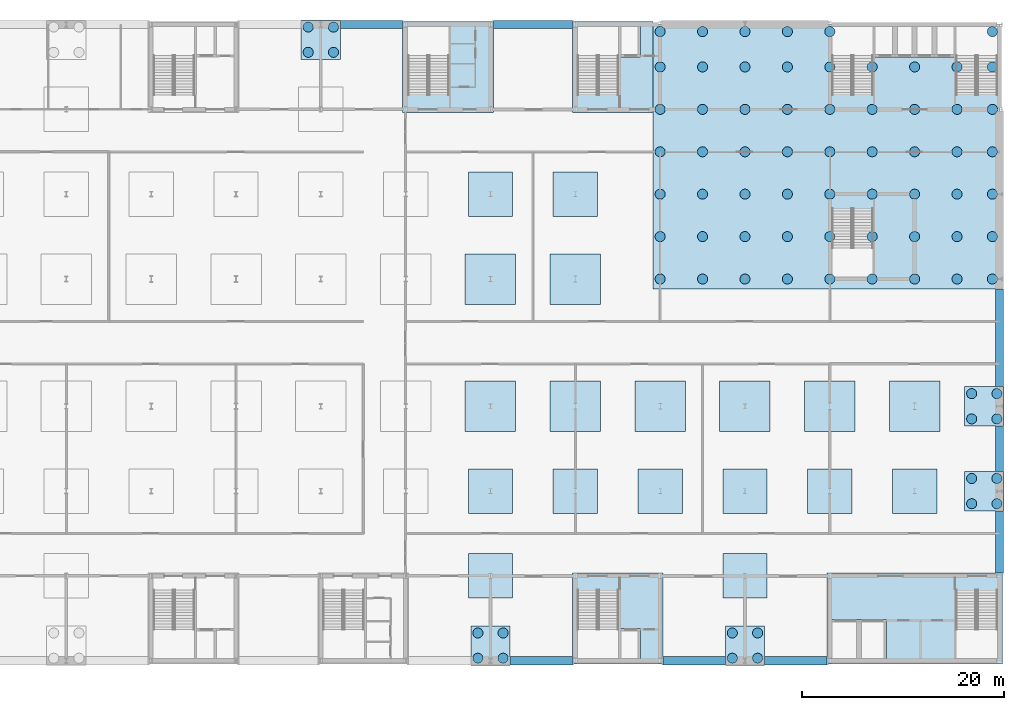
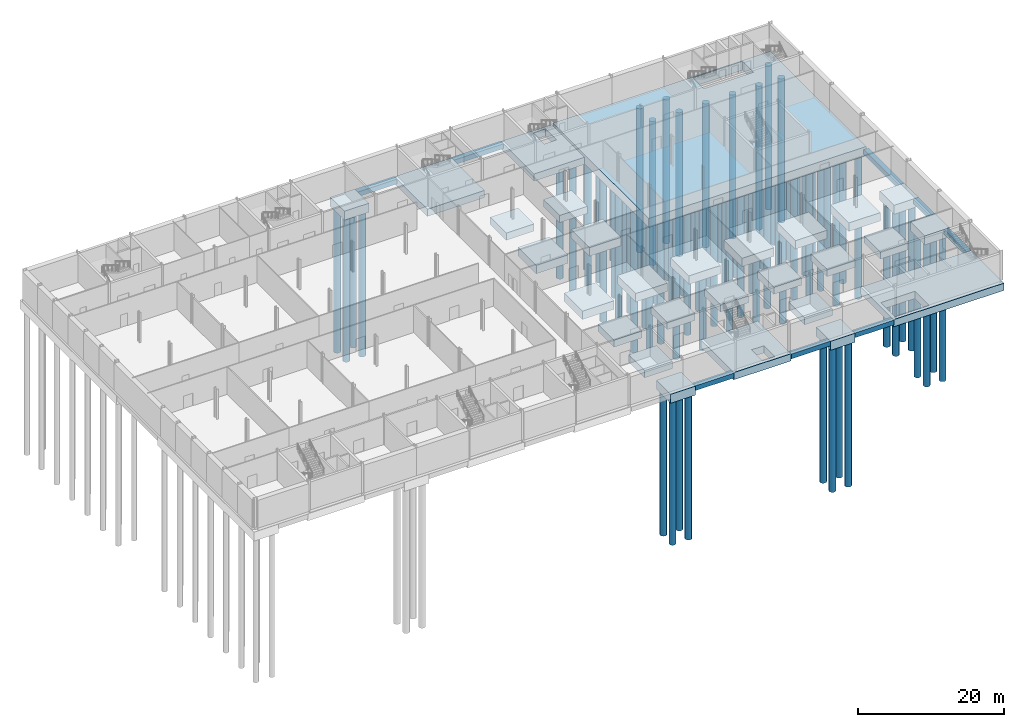
# One storey, part 2 of 22: 80 piles, 36 footings.
"""IFC4 building model written with IfcOpenShell, lengths in metres."""

from ifc_helpers import new_model, si_unit, direction, frame, origin, origin_2d, place, context, subcontext, project, spatial, polyline, circle, outline, extrude, material, layer, layer_set, material_profile, profile_set, type_object, element, save


model = new_model("IFC4")

# Units and contexts
model_context = context("Model", 3, precision=1e-05, world=origin(), true_north=direction((0.0, 1.0)))
body_context = subcontext(model_context, "Body", "Model", "MODEL_VIEW")
ifc_project = project(units=[si_unit("LENGTHUNIT", "METRE"), si_unit("AREAUNIT", "SQUARE_METRE"), si_unit("VOLUMEUNIT", "CUBIC_METRE"), si_unit("PLANEANGLEUNIT", "RADIAN"), si_unit("MASSUNIT", "GRAM", prefix="KILO")], contexts=[model_context])

# Site, building, storey
site_placement = place(None, origin())
site = spatial("IfcSite", under=ifc_project, at=site_placement, CompositionType="ELEMENT")
building_placement = place(site_placement, origin())
building = spatial("IfcBuilding", under=site, at=building_placement, Name="Galleria Vessillo Department Store", CompositionType="ELEMENT")
storey_placement = place(building_placement, frame((0.0, 0.0, -9.89990234375)))
storey = spatial("IfcBuildingStorey", under=building, at=storey_placement, Name="B2", CompositionType="ELEMENT", Elevation=-9.89990234375)

# Piles
ifc_material_1 = material(Name="Concrete C32/40 reinforced", Category="concrete")
ifc_material_profile = material_profile(ifc_material_1, circle(Radius=0.5, at=origin_2d()), Name="Bored pile D1000")
ifc_profile_set = profile_set([ifc_material_profile], Name="Concrete C32/40 reinforced")
pile_type = type_object("IfcPileType", Name="Bored pile D1000", PredefinedType="BORED", material=ifc_profile_set)
for number, where, z_axis, x_axis, name in (
    (1, (84.0, 37.800048828125, -1.5), (0.0, 0.0, -1.0), (1.0, 0.0, 0.0), "S-PILE-R001"),
    (2, (84.0, 42.0, -1.5), (0.0, 0.0, -1.0), (1.0, 0.0, 0.0), "S-PILE-R002"),
    (3, (84.0, 46.199951171875, -1.5), (0.0, 0.0, -1.0), (1.0, 0.0, 0.0), "S-PILE-R003"),
    (4, (84.0, 50.39990234375, -1.5), (0.0, 0.0, -1.0), (1.0, 0.0, 0.0), "S-PILE-R004"),
    (5, (84.0, 54.60009765625, -1.5), (0.0, 0.0, -1.0), (1.0, 0.0, 0.0), "S-PILE-R005"),
    (6, (84.0, 58.800048828125, -1.5), (0.0, 0.0, -1.0), (1.0, 0.0, 0.0), "S-PILE-R006"),
    (7, (84.0, 62.300048828125, -1.5), (0.0, 0.0, -1.0), (1.0, 0.0, 0.0), "S-PILE-R007"),
    (8, (88.199951171875, 37.800048828125, -1.5), (0.0, 0.0, -1.0), (1.0, 0.0, 0.0), "S-PILE-R008"),
    (9, (88.199951171875, 42.0, -1.5), (0.0, 0.0, -1.0), (1.0, 0.0, 0.0), "S-PILE-R009"),
    (10, (88.199951171875, 46.199951171875, -1.5), (0.0, 0.0, -1.0), (1.0, 0.0, 0.0), "S-PILE-R010"),
    (11, (88.199951171875, 50.39990234375, -1.5), (0.0, 0.0, -1.0), (1.0, 0.0, 0.0), "S-PILE-R011"),
    (12, (88.199951171875, 54.60009765625, -1.5), (0.0, 0.0, -1.0), (1.0, 0.0, 0.0), "S-PILE-R012"),
    (13, (88.199951171875, 58.800048828125, -1.5), (0.0, 0.0, -1.0), (1.0, 0.0, 0.0), "S-PILE-R013"),
    (14, (88.199951171875, 62.300048828125, -1.5), (0.0, 0.0, -1.0), (1.0, 0.0, 0.0), "S-PILE-R014"),
    (15, (92.39990234375, 37.800048828125, -1.5), (0.0, 0.0, -1.0), (1.0, 0.0, 0.0), "S-PILE-R015"),
    (16, (92.39990234375, 42.0, -1.5), (0.0, 0.0, -1.0), (1.0, 0.0, 0.0), "S-PILE-R016"),
    (17, (92.39990234375, 46.199951171875, -1.5), (0.0, 0.0, -1.0), (1.0, 0.0, 0.0), "S-PILE-R017"),
    (18, (92.39990234375, 50.39990234375, -1.5), (0.0, 0.0, -1.0), (1.0, 0.0, 0.0), "S-PILE-R018"),
    (19, (92.39990234375, 54.60009765625, -1.5), (0.0, 0.0, -1.0), (1.0, 0.0, 0.0), "S-PILE-R019"),
    (20, (92.39990234375, 58.800048828125, -1.5), (0.0, 0.0, -1.0), (1.0, 0.0, 0.0), "S-PILE-R020"),
    (21, (92.39990234375, 62.300048828125, -1.5), (0.0, 0.0, -1.0), (1.0, 0.0, 0.0), "S-PILE-R021"),
    (22, (96.60009765625, 37.800048828125, -1.5), (0.0, 0.0, -1.0), (1.0, 0.0, 0.0), "S-PILE-R022"),
    (23, (96.60009765625, 42.0, -1.5), (0.0, 0.0, -1.0), (1.0, 0.0, 0.0), "S-PILE-R023"),
    (24, (96.60009765625, 46.199951171875, -1.5), (0.0, 0.0, -1.0), (1.0, 0.0, 0.0), "S-PILE-R024"),
    (25, (96.60009765625, 50.39990234375, -1.5), (0.0, 0.0, -1.0), (1.0, 0.0, 0.0), "S-PILE-R025"),
    (26, (96.60009765625, 54.60009765625, -1.5), (0.0, 0.0, -1.0), (1.0, 0.0, 0.0), "S-PILE-R026"),
    (27, (96.60009765625, 58.800048828125, -1.5), (0.0, 0.0, -1.0), (1.0, 0.0, 0.0), "S-PILE-R027"),
    (28, (96.60009765625, 62.300048828125, -1.5), (0.0, 0.0, -1.0), (1.0, 0.0, 0.0), "S-PILE-R028"),
    (29, (100.800048828125, 37.800048828125, -1.5), (0.0, 0.0, -1.0), (1.0, 0.0, 0.0), "S-PILE-R029"),
    (30, (100.800048828125, 42.0, -1.5), (0.0, 0.0, -1.0), (1.0, 0.0, 0.0), "S-PILE-R030"),
    (31, (100.800048828125, 46.199951171875, -1.5), (0.0, 0.0, -1.0), (1.0, 0.0, 0.0), "S-PILE-R031"),
    (32, (100.800048828125, 50.39990234375, -1.5), (0.0, 0.0, -1.0), (1.0, 0.0, 0.0), "S-PILE-R032"),
    (33, (100.800048828125, 54.60009765625, -1.5), (0.0, 0.0, -1.0), (1.0, 0.0, 0.0), "S-PILE-R033"),
    (34, (100.800048828125, 58.800048828125, -1.5), (0.0, 0.0, -1.0), (1.0, 0.0, 0.0), "S-PILE-R034"),
    (35, (100.800048828125, 62.300048828125, -1.5), (0.0, 0.0, -1.0), (1.0, 0.0, 0.0), "S-PILE-R035"),
    (36, (105.0, 37.800048828125, -1.5), (0.0, 0.0, -1.0), (1.0, 0.0, 0.0), "S-PILE-R036"),
    (37, (105.0, 42.0, -1.5), (0.0, 0.0, -1.0), (1.0, 0.0, 0.0), "S-PILE-R037"),
    (38, (105.0, 46.199951171875, -1.5), (0.0, 0.0, -1.0), (1.0, 0.0, 0.0), "S-PILE-R038"),
    (39, (105.0, 50.39990234375, -1.5), (0.0, 0.0, -1.0), (1.0, 0.0, 0.0), "S-PILE-R039"),
    (40, (105.0, 54.60009765625, -1.5), (0.0, 0.0, -1.0), (1.0, 0.0, 0.0), "S-PILE-R040"),
    (41, (105.0, 58.800048828125, -1.5), (0.0, 0.0, -1.0), (1.0, 0.0, 0.0), "S-PILE-R041"),
    (42, (109.199951171875, 37.800048828125, -1.5), (0.0, 0.0, -1.0), (1.0, 0.0, 0.0), "S-PILE-R042"),
    (43, (109.199951171875, 42.0, -1.5), (0.0, 0.0, -1.0), (1.0, 0.0, 0.0), "S-PILE-R043"),
    (44, (109.199951171875, 46.199951171875, -1.5), (0.0, 0.0, -1.0), (1.0, 0.0, 0.0), "S-PILE-R044"),
    (45, (109.199951171875, 50.39990234375, -1.5), (0.0, 0.0, -1.0), (1.0, 0.0, 0.0), "S-PILE-R045"),
    (46, (109.199951171875, 54.60009765625, -1.5), (0.0, 0.0, -1.0), (1.0, 0.0, 0.0), "S-PILE-R046"),
    (47, (109.199951171875, 58.800048828125, -1.5), (0.0, 0.0, -1.0), (1.0, 0.0, 0.0), "S-PILE-R047"),
    (48, (113.39990234375, 37.800048828125, -1.5), (0.0, 0.0, -1.0), (1.0, 0.0, 0.0), "S-PILE-R048"),
    (49, (113.39990234375, 42.0, -1.5), (0.0, 0.0, -1.0), (1.0, 0.0, 0.0), "S-PILE-R049"),
    (50, (113.39990234375, 46.199951171875, -1.5), (0.0, 0.0, -1.0), (1.0, 0.0, 0.0), "S-PILE-R050"),
    (51, (113.39990234375, 50.39990234375, -1.5), (0.0, 0.0, -1.0), (1.0, 0.0, 0.0), "S-PILE-R051"),
    (52, (113.39990234375, 54.60009765625, -1.5), (0.0, 0.0, -1.0), (1.0, 0.0, 0.0), "S-PILE-R052"),
    (53, (113.39990234375, 58.800048828125, -1.5), (0.0, 0.0, -1.0), (1.0, 0.0, 0.0), "S-PILE-R053"),
    (54, (116.89990234375, 37.800048828125, -1.5), (0.0, 0.0, -1.0), (1.0, 0.0, 0.0), "S-PILE-R054"),
    (55, (116.89990234375, 42.0, -1.5), (0.0, 0.0, -1.0), (1.0, 0.0, 0.0), "S-PILE-R055"),
    (56, (116.89990234375, 46.199951171875, -1.5), (0.0, 0.0, -1.0), (1.0, 0.0, 0.0), "S-PILE-R056"),
    (57, (116.89990234375, 50.39990234375, -1.5), (0.0, 0.0, -1.0), (1.0, 0.0, 0.0), "S-PILE-R057"),
    (58, (116.89990234375, 54.60009765625, -1.5), (0.0, 0.0, -1.0), (1.0, 0.0, 0.0), "S-PILE-R058"),
    (59, (116.89990234375, 58.800048828125, -1.5), (0.0, 0.0, -1.0), (1.0, 0.0, 0.0), "S-PILE-R059"),
    (60, (116.89990234375, 62.300048828125, -1.5), (0.0, 0.0, -1.0), (1.0, 0.0, 0.0), "S-PILE-R060"),
    (61, (49.14990234375, 60.25, -1.900146484375), (0.0, 0.0, -1.0), (1.0, 0.0, 0.0), "S-PILE-7H-01"),
    (62, (51.64990234375, 60.25, -1.900146484375), (0.0, 0.0, -1.0), (1.0, 0.0, 0.0), "S-PILE-7H-02"),
    (63, (49.14990234375, 62.75, -1.900146484375), (0.0, 0.0, -1.0), (1.0, 0.0, 0.0), "S-PILE-7H-03"),
    (64, (51.64990234375, 62.75, -1.900146484375), (0.0, 0.0, -1.0), (1.0, 0.0, 0.0), "S-PILE-7H-04"),
    (65, (65.949951171875, 0.25, -1.900146484375), (0.0, 0.0, -1.0), (1.0, 0.0, 0.0), "S-PILE-9A-01"),
    (66, (68.449951171875, 0.25, -1.900146484375), (0.0, 0.0, -1.0), (1.0, 0.0, 0.0), "S-PILE-9A-02"),
    (67, (65.949951171875, 2.75, -1.900146484375), (0.0, 0.0, -1.0), (1.0, 0.0, 0.0), "S-PILE-9A-03"),
    (68, (68.449951171875, 2.75, -1.900146484375), (0.0, 0.0, -1.0), (1.0, 0.0, 0.0), "S-PILE-9A-04"),
    (69, (91.14990234375, 0.25, -1.900146484375), (0.0, 0.0, -1.0), (1.0, 0.0, 0.0), "S-PILE-12A-01"),
    (70, (93.64990234375, 0.25, -1.900146484375), (0.0, 0.0, -1.0), (1.0, 0.0, 0.0), "S-PILE-12A-02"),
    (71, (91.14990234375, 2.75, -1.900146484375), (0.0, 0.0, -1.0), (1.0, 0.0, 0.0), "S-PILE-12A-03"),
    (72, (93.64990234375, 2.75, -1.900146484375), (0.0, 0.0, -1.0), (1.0, 0.0, 0.0), "S-PILE-12A-04"),
    (73, (114.85009765625, 15.550048828125, -1.900146484375), (0.0, 0.0, -1.0), (1.0, 0.0, 0.0), "S-PILE-15C-01"),
    (74, (117.35009765625, 15.550048828125, -1.900146484375), (0.0, 0.0, -1.0), (1.0, 0.0, 0.0), "S-PILE-15C-02"),
    (75, (114.85009765625, 18.050048828125, -1.900146484375), (0.0, 0.0, -1.0), (1.0, 0.0, 0.0), "S-PILE-15C-03"),
    (76, (117.35009765625, 18.050048828125, -1.900146484375), (0.0, 0.0, -1.0), (1.0, 0.0, 0.0), "S-PILE-15C-04"),
    (77, (114.85009765625, 23.949951171875, -1.900146484375), (0.0, 0.0, -1.0), (1.0, 0.0, 0.0), "S-PILE-15D-01"),
    (78, (117.35009765625, 23.949951171875, -1.900146484375), (0.0, 0.0, -1.0), (1.0, 0.0, 0.0), "S-PILE-15D-02"),
    (79, (114.85009765625, 26.449951171875, -1.900146484375), (0.0, 0.0, -1.0), (1.0, 0.0, 0.0), "S-PILE-15D-03"),
    (80, (117.35009765625, 26.449951171875, -1.900146484375), (0.0, 0.0, -1.0), (1.0, 0.0, 0.0), "S-PILE-15D-04"),
):
    element("IfcPile", number, at=place(storey_placement, frame(where, z_axis=z_axis, x_axis=x_axis)), inside=storey, type_object=pile_type, Name=name, PredefinedType="BORED", context=body_context, shape_type="SweptSolid", body=[
        extrude(circle(Radius=0.5, at=origin_2d()), origin(), (0.0, 0.0, 1.0), 24.0),
    ])

# Footings
ifc_material_2 = material(Name="Concrete C32/40 reinforced", Category="concrete")
ifc_layer_1 = layer(ifc_material_2, 0.800048828125)
ifc_layer_set_1 = layer_set([ifc_layer_1], Name="Concrete C32/40 reinforced")
footing_type_1 = type_object("IfcFootingType", Name="Ground beam 800 x 800 mm", PredefinedType="FOOTING_BEAM", material=ifc_layer_set_1)
footing_1_placement = place(storey_placement, frame((0.0, 0.0, -1.2001953125)))
element("IfcFooting", 81, at=footing_1_placement, inside=storey, type_object=footing_type_1, Name="S-GB-S-06", PredefinedType="FOOTING_BEAM", context=body_context, shape_type="SweptSolid", body=[
    extrude(outline(polyline([(69.14990234375, -0.39990234375), (75.300048828125, -0.39990234375), (75.300048828125, 0.39990234375), (69.14990234375, 0.39990234375), (69.14990234375, -0.39990234375)])), origin(), (0.0, 0.0, 1.0), 0.800048828125),
])
footing_2_placement = place(storey_placement, frame((0.0, 0.0, -1.2001953125)))
element("IfcFooting", 82, at=footing_2_placement, inside=storey, type_object=footing_type_1, Name="S-GB-S-07", PredefinedType="FOOTING_BEAM", context=body_context, shape_type="SweptSolid", body=[
    extrude(outline(polyline([(84.300048828125, -0.39990234375), (90.449951171875, -0.39990234375), (90.449951171875, 0.39990234375), (84.300048828125, 0.39990234375), (84.300048828125, -0.39990234375)])), origin(), (0.0, 0.0, 1.0), 0.800048828125),
])
footing_3_placement = place(storey_placement, frame((0.0, 0.0, -1.2001953125)))
element("IfcFooting", 83, at=footing_3_placement, inside=storey, type_object=footing_type_1, Name="S-GB-S-08", PredefinedType="FOOTING_BEAM", context=body_context, shape_type="SweptSolid", body=[
    extrude(outline(polyline([(94.349853515625, -0.39990234375), (100.5, -0.39990234375), (100.5, 0.39990234375), (94.349853515625, 0.39990234375), (94.349853515625, -0.39990234375)])), origin(), (0.0, 0.0, 1.0), 0.800048828125),
])
footing_4_placement = place(storey_placement, frame((0.0, 0.0, -1.2001953125)))
element("IfcFooting", 84, at=footing_4_placement, inside=storey, type_object=footing_type_1, Name="S-GB-N-05", PredefinedType="FOOTING_BEAM", context=body_context, shape_type="SweptSolid", body=[
    extrude(outline(polyline([(52.349853515625, 62.60009765625), (58.5, 62.60009765625), (58.5, 63.39990234375), (52.349853515625, 63.39990234375), (52.349853515625, 62.60009765625)])), origin(), (0.0, 0.0, 1.0), 0.800048828125),
])
footing_5_placement = place(storey_placement, frame((0.0, 0.0, -1.2001953125)))
element("IfcFooting", 85, at=footing_5_placement, inside=storey, type_object=footing_type_1, Name="S-GB-N-06", PredefinedType="FOOTING_BEAM", context=body_context, shape_type="SweptSolid", body=[
    extrude(outline(polyline([(67.5, 62.60009765625), (75.300048828125, 62.60009765625), (75.300048828125, 63.39990234375), (67.5, 63.39990234375), (67.5, 62.60009765625)])), origin(), (0.0, 0.0, 1.0), 0.800048828125),
])
footing_6_placement = place(storey_placement, frame((0.0, 0.0, -1.2001953125)))
element("IfcFooting", 86, at=footing_6_placement, inside=storey, type_object=footing_type_1, Name="S-GB-E-01", PredefinedType="FOOTING_BEAM", context=body_context, shape_type="SweptSolid", body=[
    extrude(outline(polyline([(117.199951171875, 8.699951171875), (118.0, 8.699951171875), (118.0, 14.85009765625), (117.199951171875, 14.85009765625), (117.199951171875, 8.699951171875)])), origin(), (0.0, 0.0, 1.0), 0.800048828125),
])
footing_7_placement = place(storey_placement, frame((0.0, 0.0, -1.2001953125)))
element("IfcFooting", 87, at=footing_7_placement, inside=storey, type_object=footing_type_1, Name="S-GB-E-02", PredefinedType="FOOTING_BEAM", context=body_context, shape_type="SweptSolid", body=[
    extrude(outline(polyline([(117.199951171875, 18.75), (118.0, 18.75), (118.0, 23.25), (117.199951171875, 23.25), (117.199951171875, 18.75)])), origin(), (0.0, 0.0, 1.0), 0.800048828125),
])
footing_8_placement = place(storey_placement, frame((0.0, 0.0, -1.2001953125)))
element("IfcFooting", 88, at=footing_8_placement, inside=storey, type_object=footing_type_1, Name="S-GB-E-03", PredefinedType="FOOTING_BEAM", context=body_context, shape_type="SweptSolid", body=[
    extrude(outline(polyline([(117.199951171875, 27.14990234375), (118.0, 27.14990234375), (118.0, 36.800048828125), (117.199951171875, 36.800048828125), (117.199951171875, 27.14990234375)])), origin(), (0.0, 0.0, 1.0), 0.800048828125),
])
ifc_material_3 = material(Name="Concrete C32/40 reinforced", Category="concrete")
ifc_layer_2 = layer(ifc_material_3, 1.199951171875)
ifc_layer_set_2 = layer_set([ifc_layer_2], Name="Concrete C32/40 reinforced")
footing_type_2 = type_object("IfcFootingType", Name="Pad footing 17.40 x 9 m, 1.2 m thick", PredefinedType="PAD_FOOTING", material=ifc_layer_set_2)
footing_9_placement = place(storey_placement, frame((0.0, 0.0, -1.60009765625)))
element("IfcFooting", 89, at=footing_9_placement, inside=storey, type_object=footing_type_2, Name="S-PAD-GC", PredefinedType="PAD_FOOTING", context=body_context, shape_type="SweptSolid", body=[
    extrude(outline(polyline([(100.5, -0.300048828125), (117.900146484375, -0.300048828125), (117.900146484375, 8.699951171875), (100.5, 8.699951171875), (100.5, -0.300048828125)]), holes=[polyline([(101.0, 0.199951171875), (106.39990234375, 0.199951171875), (106.39990234375, 4.10009765625), (101.0, 4.10009765625), (101.0, 0.199951171875)])]), origin(), (0.0, 0.0, 1.0), 1.199951171875),
])
ifc_material_4 = material(Name="Concrete C32/40 reinforced", Category="concrete")
ifc_layer_3 = layer(ifc_material_4, 1.199951171875)
ifc_layer_set_3 = layer_set([ifc_layer_3], Name="Concrete C32/40 reinforced")
footing_type_3 = type_object("IfcFootingType", Name="Pad footing 4.40 x 4.40 m, 1.2 m thick", PredefinedType="PAD_FOOTING", material=ifc_layer_set_3)
footing_10_placement = place(storey_placement, frame((0.0, 0.0, -1.60009765625)))
element("IfcFooting", 90, at=footing_10_placement, inside=storey, type_object=footing_type_3, Name="S-PAD-9B", PredefinedType="PAD_FOOTING", context=body_context, shape_type="SweptSolid", body=[
    extrude(outline(polyline([(65.0, 6.199951171875), (69.39990234375, 6.199951171875), (69.39990234375, 10.599853515625), (65.0, 10.599853515625), (65.0, 6.199951171875)])), origin(), (0.0, 0.0, 1.0), 1.199951171875),
])
footing_11_placement = place(storey_placement, frame((0.0, 0.0, -1.60009765625)))
element("IfcFooting", 91, at=footing_11_placement, inside=storey, type_object=footing_type_3, Name="S-PAD-9C", PredefinedType="PAD_FOOTING", context=body_context, shape_type="SweptSolid", body=[
    extrude(outline(polyline([(65.0, 14.60009765625), (69.39990234375, 14.60009765625), (69.39990234375, 19.0), (65.0, 19.0), (65.0, 14.60009765625)])), origin(), (0.0, 0.0, 1.0), 1.199951171875),
])
footing_12_placement = place(storey_placement, frame((0.0, 0.0, -1.60009765625)))
element("IfcFooting", 92, at=footing_12_placement, inside=storey, type_object=footing_type_3, Name="S-PAD-9F", PredefinedType="PAD_FOOTING", context=body_context, shape_type="SweptSolid", body=[
    extrude(outline(polyline([(65.0, 44.0), (69.39990234375, 44.0), (69.39990234375, 48.39990234375), (65.0, 48.39990234375), (65.0, 44.0)])), origin(), (0.0, 0.0, 1.0), 1.199951171875),
])
footing_13_placement = place(storey_placement, frame((0.0, 0.0, -1.60009765625)))
element("IfcFooting", 93, at=footing_13_placement, inside=storey, type_object=footing_type_3, Name="S-PAD-10C", PredefinedType="PAD_FOOTING", context=body_context, shape_type="SweptSolid", body=[
    extrude(outline(polyline([(73.400146484375, 14.60009765625), (77.800048828125, 14.60009765625), (77.800048828125, 19.0), (73.400146484375, 19.0), (73.400146484375, 14.60009765625)])), origin(), (0.0, 0.0, 1.0), 1.199951171875),
])
footing_14_placement = place(storey_placement, frame((0.0, 0.0, -1.60009765625)))
element("IfcFooting", 94, at=footing_14_placement, inside=storey, type_object=footing_type_3, Name="S-PAD-10F", PredefinedType="PAD_FOOTING", context=body_context, shape_type="SweptSolid", body=[
    extrude(outline(polyline([(73.400146484375, 44.0), (77.800048828125, 44.0), (77.800048828125, 48.39990234375), (73.400146484375, 48.39990234375), (73.400146484375, 44.0)])), origin(), (0.0, 0.0, 1.0), 1.199951171875),
])
footing_15_placement = place(storey_placement, frame((0.0, 0.0, -1.60009765625)))
element("IfcFooting", 95, at=footing_15_placement, inside=storey, type_object=footing_type_3, Name="S-PAD-11C", PredefinedType="PAD_FOOTING", context=body_context, shape_type="SweptSolid", body=[
    extrude(outline(polyline([(81.800048828125, 14.60009765625), (86.199951171875, 14.60009765625), (86.199951171875, 19.0), (81.800048828125, 19.0), (81.800048828125, 14.60009765625)])), origin(), (0.0, 0.0, 1.0), 1.199951171875),
])
footing_16_placement = place(storey_placement, frame((0.0, 0.0, -1.60009765625)))
element("IfcFooting", 96, at=footing_16_placement, inside=storey, type_object=footing_type_3, Name="S-PAD-12B", PredefinedType="PAD_FOOTING", context=body_context, shape_type="SweptSolid", body=[
    extrude(outline(polyline([(90.199951171875, 6.199951171875), (94.599853515625, 6.199951171875), (94.599853515625, 10.599853515625), (90.199951171875, 10.599853515625), (90.199951171875, 6.199951171875)])), origin(), (0.0, 0.0, 1.0), 1.199951171875),
])
footing_17_placement = place(storey_placement, frame((0.0, 0.0, -1.60009765625)))
element("IfcFooting", 97, at=footing_17_placement, inside=storey, type_object=footing_type_3, Name="S-PAD-12C", PredefinedType="PAD_FOOTING", context=body_context, shape_type="SweptSolid", body=[
    extrude(outline(polyline([(90.199951171875, 14.60009765625), (94.599853515625, 14.60009765625), (94.599853515625, 19.0), (90.199951171875, 19.0), (90.199951171875, 14.60009765625)])), origin(), (0.0, 0.0, 1.0), 1.199951171875),
])
footing_18_placement = place(storey_placement, frame((0.0, 0.0, -1.60009765625)))
element("IfcFooting", 98, at=footing_18_placement, inside=storey, type_object=footing_type_3, Name="S-PAD-13C", PredefinedType="PAD_FOOTING", context=body_context, shape_type="SweptSolid", body=[
    extrude(outline(polyline([(98.60009765625, 14.60009765625), (103.0, 14.60009765625), (103.0, 19.0), (98.60009765625, 19.0), (98.60009765625, 14.60009765625)])), origin(), (0.0, 0.0, 1.0), 1.199951171875),
])
footing_19_placement = place(storey_placement, frame((0.0, 0.0, -1.60009765625)))
element("IfcFooting", 99, at=footing_19_placement, inside=storey, type_object=footing_type_3, Name="S-PAD-14C", PredefinedType="PAD_FOOTING", context=body_context, shape_type="SweptSolid", body=[
    extrude(outline(polyline([(107.0, 14.60009765625), (111.39990234375, 14.60009765625), (111.39990234375, 19.0), (107.0, 19.0), (107.0, 14.60009765625)])), origin(), (0.0, 0.0, 1.0), 1.199951171875),
])
ifc_material_5 = material(Name="Concrete C32/40 reinforced", Category="concrete")
ifc_layer_4 = layer(ifc_material_5, 1.39990234375)
ifc_layer_set_4 = layer_set([ifc_layer_4], Name="Concrete C32/40 reinforced")
footing_type_4 = type_object("IfcFootingType", Name="Pad footing 5 x 5 m, 1.4 m thick", PredefinedType="PAD_FOOTING", material=ifc_layer_set_4)
footing_20_placement = place(storey_placement, frame((0.0, 0.0, -1.800048828125)))
element("IfcFooting", 100, at=footing_20_placement, inside=storey, type_object=footing_type_4, Name="S-PAD-9D", PredefinedType="PAD_FOOTING", context=body_context, shape_type="SweptSolid", body=[
    extrude(outline(polyline([(64.699951171875, 22.699951171875), (69.699951171875, 22.699951171875), (69.699951171875, 27.699951171875), (64.699951171875, 27.699951171875), (64.699951171875, 22.699951171875)])), origin(), (0.0, 0.0, 1.0), 1.39990234375),
])
footing_21_placement = place(storey_placement, frame((0.0, 0.0, -1.800048828125)))
element("IfcFooting", 101, at=footing_21_placement, inside=storey, type_object=footing_type_4, Name="S-PAD-9E", PredefinedType="PAD_FOOTING", context=body_context, shape_type="SweptSolid", body=[
    extrude(outline(polyline([(64.699951171875, 35.300048828125), (69.699951171875, 35.300048828125), (69.699951171875, 40.300048828125), (64.699951171875, 40.300048828125), (64.699951171875, 35.300048828125)])), origin(), (0.0, 0.0, 1.0), 1.39990234375),
])
footing_22_placement = place(storey_placement, frame((0.0, 0.0, -1.800048828125)))
element("IfcFooting", 102, at=footing_22_placement, inside=storey, type_object=footing_type_4, Name="S-PAD-10D", PredefinedType="PAD_FOOTING", context=body_context, shape_type="SweptSolid", body=[
    extrude(outline(polyline([(73.10009765625, 22.699951171875), (78.10009765625, 22.699951171875), (78.10009765625, 27.699951171875), (73.10009765625, 27.699951171875), (73.10009765625, 22.699951171875)])), origin(), (0.0, 0.0, 1.0), 1.39990234375),
])
footing_23_placement = place(storey_placement, frame((0.0, 0.0, -1.800048828125)))
element("IfcFooting", 103, at=footing_23_placement, inside=storey, type_object=footing_type_4, Name="S-PAD-10E", PredefinedType="PAD_FOOTING", context=body_context, shape_type="SweptSolid", body=[
    extrude(outline(polyline([(73.10009765625, 35.300048828125), (78.10009765625, 35.300048828125), (78.10009765625, 40.300048828125), (73.10009765625, 40.300048828125), (73.10009765625, 35.300048828125)])), origin(), (0.0, 0.0, 1.0), 1.39990234375),
])
footing_24_placement = place(storey_placement, frame((0.0, 0.0, -1.800048828125)))
element("IfcFooting", 104, at=footing_24_placement, inside=storey, type_object=footing_type_4, Name="S-PAD-11D", PredefinedType="PAD_FOOTING", context=body_context, shape_type="SweptSolid", body=[
    extrude(outline(polyline([(81.5, 22.699951171875), (86.5, 22.699951171875), (86.5, 27.699951171875), (81.5, 27.699951171875), (81.5, 22.699951171875)])), origin(), (0.0, 0.0, 1.0), 1.39990234375),
])
footing_25_placement = place(storey_placement, frame((0.0, 0.0, -1.800048828125)))
element("IfcFooting", 105, at=footing_25_placement, inside=storey, type_object=footing_type_4, Name="S-PAD-12D", PredefinedType="PAD_FOOTING", context=body_context, shape_type="SweptSolid", body=[
    extrude(outline(polyline([(89.89990234375, 22.699951171875), (94.89990234375, 22.699951171875), (94.89990234375, 27.699951171875), (89.89990234375, 27.699951171875), (89.89990234375, 22.699951171875)])), origin(), (0.0, 0.0, 1.0), 1.39990234375),
])
footing_26_placement = place(storey_placement, frame((0.0, 0.0, -1.800048828125)))
element("IfcFooting", 106, at=footing_26_placement, inside=storey, type_object=footing_type_4, Name="S-PAD-13D", PredefinedType="PAD_FOOTING", context=body_context, shape_type="SweptSolid", body=[
    extrude(outline(polyline([(98.300048828125, 22.699951171875), (103.300048828125, 22.699951171875), (103.300048828125, 27.699951171875), (98.300048828125, 27.699951171875), (98.300048828125, 22.699951171875)])), origin(), (0.0, 0.0, 1.0), 1.39990234375),
])
footing_27_placement = place(storey_placement, frame((0.0, 0.0, -1.800048828125)))
element("IfcFooting", 107, at=footing_27_placement, inside=storey, type_object=footing_type_4, Name="S-PAD-14D", PredefinedType="PAD_FOOTING", context=body_context, shape_type="SweptSolid", body=[
    extrude(outline(polyline([(106.699951171875, 22.699951171875), (111.699951171875, 22.699951171875), (111.699951171875, 27.699951171875), (106.699951171875, 27.699951171875), (106.699951171875, 22.699951171875)])), origin(), (0.0, 0.0, 1.0), 1.39990234375),
])
ifc_material_6 = material(Name="Concrete C32/40 reinforced", Category="concrete")
ifc_layer_5 = layer(ifc_material_6, 1.199951171875)
ifc_layer_set_5 = layer_set([ifc_layer_5], Name="Concrete C32/40 reinforced")
footing_type_5 = type_object("IfcFootingType", Name="Pad footing 8 x 9 m, 1.2 m thick", PredefinedType="PAD_FOOTING", material=ifc_layer_set_5)
footing_28_placement = place(storey_placement, frame((0.0, 0.0, -1.60009765625)))
element("IfcFooting", 108, at=footing_28_placement, inside=storey, type_object=footing_type_5, Name="S-PAD-PC-NE", PredefinedType="PAD_FOOTING", context=body_context, shape_type="SweptSolid", body=[
    extrude(outline(polyline([(75.300048828125, 54.300048828125), (83.300048828125, 54.300048828125), (83.300048828125, 63.300048828125), (75.300048828125, 63.300048828125), (75.300048828125, 54.300048828125)]), holes=[polyline([(80.10009765625, 59.800048828125), (82.050048828125, 59.800048828125), (82.050048828125, 62.800048828125), (80.10009765625, 62.800048828125), (80.10009765625, 59.800048828125)])]), origin(), (0.0, 0.0, 1.0), 1.199951171875),
])
ifc_material_7 = material(Name="Concrete C32/40 reinforced", Category="concrete")
ifc_layer_6 = layer(ifc_material_7, 1.199951171875)
ifc_layer_set_6 = layer_set([ifc_layer_6], Name="Concrete C32/40 reinforced")
footing_type_6 = type_object("IfcFootingType", Name="Pad footing 9 x 9 m, 1.2 m thick", PredefinedType="PAD_FOOTING", material=ifc_layer_set_6)
footing_29_placement = place(storey_placement, frame((0.0, 0.0, -1.60009765625)))
element("IfcFooting", 109, at=footing_29_placement, inside=storey, type_object=footing_type_6, Name="S-PAD-PC-SE", PredefinedType="PAD_FOOTING", context=body_context, shape_type="SweptSolid", body=[
    extrude(outline(polyline([(75.300048828125, -0.300048828125), (84.300048828125, -0.300048828125), (84.300048828125, 8.699951171875), (75.300048828125, 8.699951171875), (75.300048828125, -0.300048828125)]), holes=[polyline([(80.10009765625, 0.199951171875), (82.050048828125, 0.199951171875), (82.050048828125, 3.199951171875), (80.10009765625, 3.199951171875), (80.10009765625, 0.199951171875)])]), origin(), (0.0, 0.0, 1.0), 1.199951171875),
])
footing_30_placement = place(storey_placement, frame((0.0, 0.0, -1.60009765625)))
element("IfcFooting", 110, at=footing_30_placement, inside=storey, type_object=footing_type_6, Name="S-PAD-PC-NC", PredefinedType="PAD_FOOTING", context=body_context, shape_type="SweptSolid", body=[
    extrude(outline(polyline([(58.5, 54.300048828125), (67.5, 54.300048828125), (67.5, 63.300048828125), (58.5, 63.300048828125), (58.5, 54.300048828125)])), origin(), (0.0, 0.0, 1.0), 1.199951171875),
])
ifc_material_8 = material(Name="Concrete C32/40 reinforced", Category="concrete")
ifc_layer_7 = layer(ifc_material_8, 1.5)
ifc_layer_set_7 = layer_set([ifc_layer_7], Name="Concrete C32/40 reinforced")
footing_type_7 = type_object("IfcFootingType", Name="Pile cap 3.90 x 3.90 m, four piles, 1.5 m thick", PredefinedType="PILE_CAP", material=ifc_layer_set_7)
footing_31_placement = place(storey_placement, frame((0.0, 0.0, -1.900146484375)))
element("IfcFooting", 111, at=footing_31_placement, inside=storey, type_object=footing_type_7, Name="S-CAP-7H", PredefinedType="PILE_CAP", context=body_context, shape_type="SweptSolid", body=[
    extrude(outline(polyline([(48.449951171875, 59.550048828125), (52.349853515625, 59.550048828125), (52.349853515625, 63.449951171875), (48.449951171875, 63.449951171875), (48.449951171875, 59.550048828125)])), origin(), (0.0, 0.0, 1.0), 1.5),
])
footing_32_placement = place(storey_placement, frame((0.0, 0.0, -1.900146484375)))
element("IfcFooting", 112, at=footing_32_placement, inside=storey, type_object=footing_type_7, Name="S-CAP-9A", PredefinedType="PILE_CAP", context=body_context, shape_type="SweptSolid", body=[
    extrude(outline(polyline([(65.25, -0.449951171875), (69.14990234375, -0.449951171875), (69.14990234375, 3.449951171875), (65.25, 3.449951171875), (65.25, -0.449951171875)])), origin(), (0.0, 0.0, 1.0), 1.5),
])
footing_33_placement = place(storey_placement, frame((0.0, 0.0, -1.900146484375)))
element("IfcFooting", 113, at=footing_33_placement, inside=storey, type_object=footing_type_7, Name="S-CAP-12A", PredefinedType="PILE_CAP", context=body_context, shape_type="SweptSolid", body=[
    extrude(outline(polyline([(90.449951171875, -0.449951171875), (94.349853515625, -0.449951171875), (94.349853515625, 3.449951171875), (90.449951171875, 3.449951171875), (90.449951171875, -0.449951171875)])), origin(), (0.0, 0.0, 1.0), 1.5),
])
footing_34_placement = place(storey_placement, frame((0.0, 0.0, -1.900146484375)))
element("IfcFooting", 114, at=footing_34_placement, inside=storey, type_object=footing_type_7, Name="S-CAP-15C", PredefinedType="PILE_CAP", context=body_context, shape_type="SweptSolid", body=[
    extrude(outline(polyline([(114.14990234375, 14.85009765625), (118.050048828125, 14.85009765625), (118.050048828125, 18.75), (114.14990234375, 18.75), (114.14990234375, 14.85009765625)])), origin(), (0.0, 0.0, 1.0), 1.5),
])
footing_35_placement = place(storey_placement, frame((0.0, 0.0, -1.900146484375)))
element("IfcFooting", 115, at=footing_35_placement, inside=storey, type_object=footing_type_7, Name="S-CAP-15D", PredefinedType="PILE_CAP", context=body_context, shape_type="SweptSolid", body=[
    extrude(outline(polyline([(114.14990234375, 23.25), (118.050048828125, 23.25), (118.050048828125, 27.14990234375), (114.14990234375, 27.14990234375), (114.14990234375, 23.25)])), origin(), (0.0, 0.0, 1.0), 1.5),
])
ifc_material_9 = material(Name="Concrete C32/40 reinforced", Category="concrete")
ifc_layer_8 = layer(ifc_material_9, 1.5)
ifc_layer_set_8 = layer_set([ifc_layer_8], Name="Concrete C32/40 reinforced")
footing_type_8 = type_object("IfcFootingType", Name="Piled raft foundation 1500 mm", PredefinedType="PILE_CAP", material=ifc_layer_set_8)
footing_36_placement = place(storey_placement, frame((0.0, 0.0, -1.5)))
element("IfcFooting", 116, at=footing_36_placement, inside=storey, type_object=footing_type_8, Name="S-RAFT", PredefinedType="PILE_CAP", context=body_context, shape_type="SweptSolid", body=[
    extrude(outline(polyline([(83.300048828125, 36.800048828125), (117.60009765625, 36.800048828125), (117.60009765625, 63.0), (83.300048828125, 63.0), (83.300048828125, 36.800048828125)]), holes=[polyline([(105.300048828125, 59.800048828125), (113.10009765625, 59.800048828125), (113.10009765625, 62.800048828125), (105.300048828125, 62.800048828125), (105.300048828125, 59.800048828125)])]), origin(), (0.0, 0.0, 1.0), 1.5),
])

save(model, "model.ifc")
